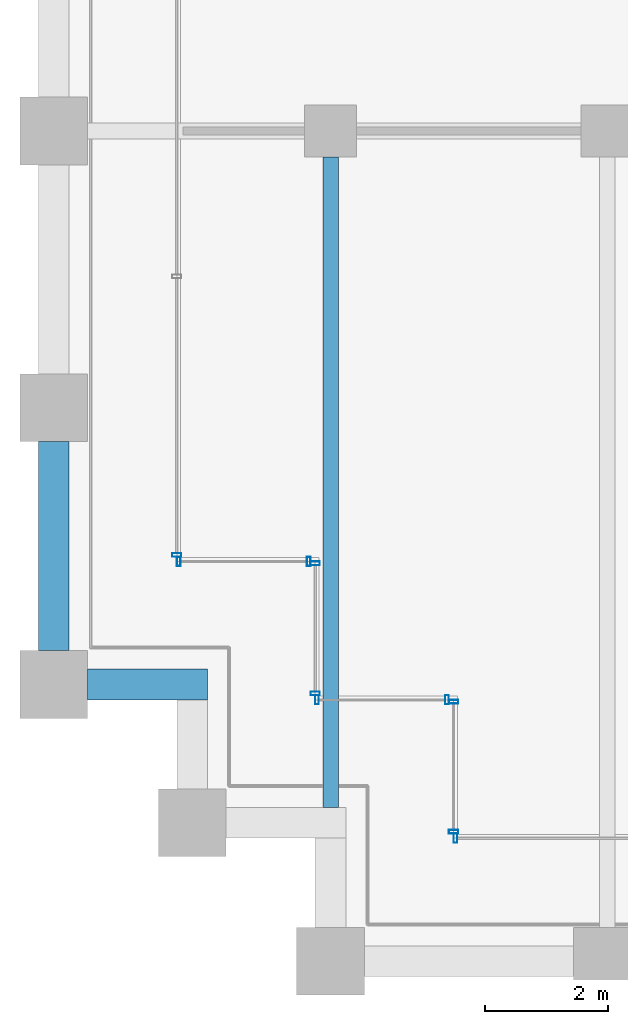
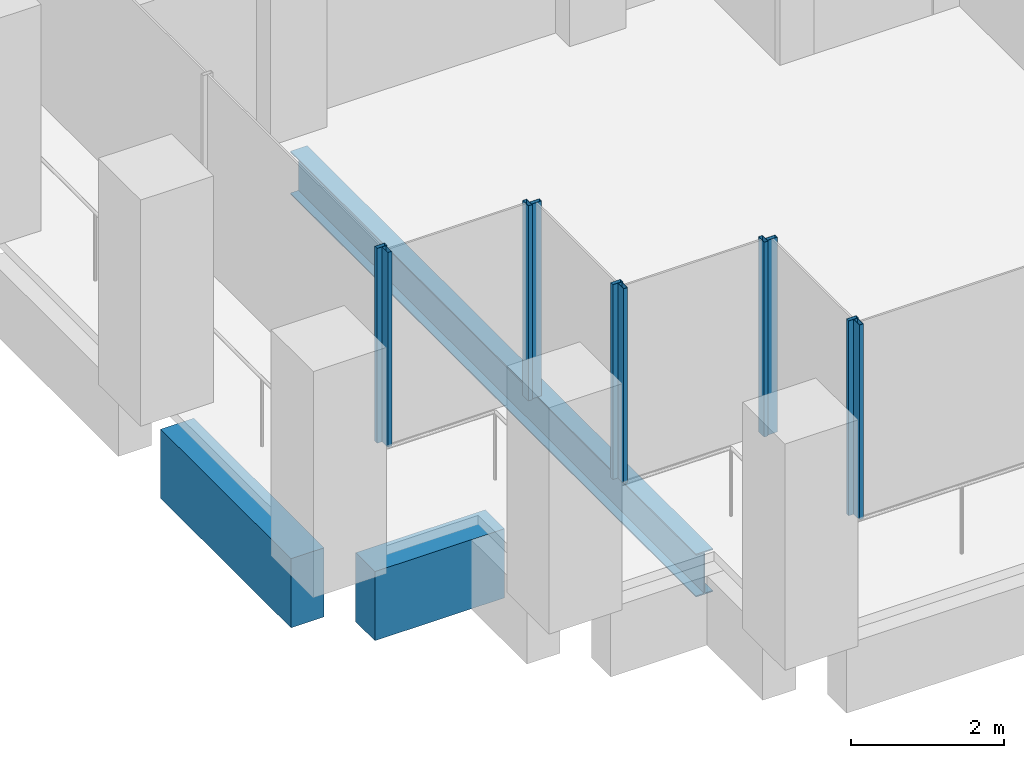
# One storey, part 2 of 56: 10 members, 3 beams, 6 elements without a shape of their own.
"""IFC4 building model written with IfcOpenShell, lengths in metres."""

from ifc_helpers import new_model, si_unit, direction, frame, origin, origin_2d, place, context, subcontext, project, spatial, rectangle, hollow_rectangle, i_section, extrude, material, material_profile, profile_set, type_object, element, aggregate, save


model = new_model("IFC4")

# Units and contexts
model_context = context("Model", 3, precision=1e-05, world=origin(), true_north=direction((0.0, 1.0)))
body_context = subcontext(model_context, "Body", "Model", "MODEL_VIEW")
ifc_project = project(units=[si_unit("LENGTHUNIT", "METRE"), si_unit("AREAUNIT", "SQUARE_METRE"), si_unit("VOLUMEUNIT", "CUBIC_METRE"), si_unit("PLANEANGLEUNIT", "RADIAN"), si_unit("MASSUNIT", "GRAM", prefix="KILO")], contexts=[model_context])

# Site, building, storey
site_placement = place(None, origin())
site = spatial("IfcSite", under=ifc_project, at=site_placement, CompositionType="ELEMENT")
building_placement = place(site_placement, origin())
building = spatial("IfcBuilding", under=site, at=building_placement, Name="Altepetl Exchange Towers", CompositionType="ELEMENT")
storey_placement = place(building_placement, frame((0.0, 0.0, 51.0)))
storey = spatial("IfcBuildingStorey", under=building, at=storey_placement, Name="L11", CompositionType="ELEMENT", Elevation=51.0)

# Beam
ifc_material_1 = material(Name="Steel S355", Category="steel")
ifc_material_profile_1 = material_profile(ifc_material_1, i_section(OverallWidth=0.25390625, OverallDepth=0.68408203125, WebThickness=0.012451171875, FlangeThickness=0.018798828125, at=origin_2d()), Name="W27X94")
ifc_profile_set_1 = profile_set([ifc_material_profile_1], Name="Steel S355")
beam_type_1 = type_object("IfcBeamType", Name="Floor beam W27X94", PredefinedType="BEAM", material=ifc_profile_set_1)
beam_1_placement = place(storey_placement, frame((31.5, 29.5, -0.491943359375), z_axis=(0.0, 1.0, 0.0), x_axis=(-1.0, 0.0, 0.0)))
element("IfcBeam", 1, at=beam_1_placement, inside=storey, type_object=beam_type_1, Name="bm:A:L11:012", PredefinedType="BEAM", context=body_context, shape_type="SweptSolid", body=[
    extrude(i_section(OverallWidth=0.25390625, OverallDepth=0.68408203125, WebThickness=0.012451171875, FlangeThickness=0.018798828125, at=origin_2d()), origin(), (0.0, 0.0, 1.0), 10.574951171875),
])

# Curtain wall, member
ifc_material_2 = material(Name="Aluminium 6063-T6 glazing", Category="aluminium")
curtain_wall_type = type_object("IfcCurtainWallType", Name="Loggia glazing system", PredefinedType="NOTDEFINED", material=ifc_material_2)
curtain_wall_1_placement = place(storey_placement, origin())
curtain_wall_1 = element("IfcCurtainWall", 2, at=curtain_wall_1_placement, inside=storey, type_object=curtain_wall_type, Name="CW1 run", PredefinedType="NOTDEFINED")
ifc_material_3 = material(Name="Aluminium 6063-T6", Category="aluminium")
ifc_material_profile_2 = material_profile(ifc_material_3, hollow_rectangle(XDim=0.06005859375, YDim=0.14990234375, WallThickness=0.0029296875, at=origin_2d()), Name="Mullion 60x150 aluminium")
ifc_profile_set_2 = profile_set([ifc_material_profile_2], Name="Aluminium 6063-T6")
member_type = type_object("IfcMemberType", Name="Mullion 60x150 aluminium", PredefinedType="MULLION", material=ifc_profile_set_2)
member_1_placement = place(storey_placement, frame((29.0, 33.60498046875, 0.0), z_axis=(0.0, 0.0, 1.0), x_axis=(0.0, -1.0, 0.0)))
member_1 = element("IfcMember", 3, at=member_1_placement, type_object=member_type, Name="MU1 mullion", PredefinedType="MULLION", context=body_context, shape_type="SweptSolid", body=[
    extrude(hollow_rectangle(XDim=0.06005859375, YDim=0.14990234375, WallThickness=0.0029296875, at=origin_2d()), origin(), (0.0, 0.0, 1.0), 3.10009765625),
])
aggregate(curtain_wall_1, [member_1])

# Curtain wall, members
curtain_wall_2_placement = place(storey_placement, origin())
curtain_wall_2 = element("IfcCurtainWall", 4, at=curtain_wall_2_placement, inside=storey, type_object=curtain_wall_type, Name="CW1 run", PredefinedType="NOTDEFINED")
member_2_placement = place(storey_placement, frame((29.030029296875, 33.5, 0.0)))
member_2 = element("IfcMember", 5, at=member_2_placement, type_object=member_type, Name="MU1 mullion", PredefinedType="MULLION", context=body_context, shape_type="SweptSolid", body=[
    extrude(hollow_rectangle(XDim=0.06005859375, YDim=0.14990234375, WallThickness=0.0029296875, at=origin_2d()), origin(), (0.0, 0.0, 1.0), 3.10009765625),
])
member_3_placement = place(storey_placement, frame((31.14501953125, 33.5, 0.0)))
member_3 = element("IfcMember", 6, at=member_3_placement, type_object=member_type, Name="MU1 mullion", PredefinedType="MULLION", context=body_context, shape_type="SweptSolid", body=[
    extrude(hollow_rectangle(XDim=0.06005859375, YDim=0.14990234375, WallThickness=0.0029296875, at=origin_2d()), origin(), (0.0, 0.0, 1.0), 3.10009765625),
])
aggregate(curtain_wall_2, [member_2, member_3])

curtain_wall_3_placement = place(storey_placement, origin())
curtain_wall_3 = element("IfcCurtainWall", 7, at=curtain_wall_3_placement, inside=storey, type_object=curtain_wall_type, Name="CW1 run", PredefinedType="NOTDEFINED")
member_4_placement = place(storey_placement, frame((31.25, 33.469970703125, 0.0), z_axis=(0.0, 0.0, 1.0), x_axis=(0.0, -1.0, 0.0)))
member_4 = element("IfcMember", 8, at=member_4_placement, type_object=member_type, Name="MU1 mullion", PredefinedType="MULLION", context=body_context, shape_type="SweptSolid", body=[
    extrude(hollow_rectangle(XDim=0.06005859375, YDim=0.14990234375, WallThickness=0.0029296875, at=origin_2d()), origin(), (0.0, 0.0, 1.0), 3.10009765625),
])
member_5_placement = place(storey_placement, frame((31.25, 31.35498046875, 0.0), z_axis=(0.0, 0.0, 1.0), x_axis=(0.0, -1.0, 0.0)))
member_5 = element("IfcMember", 9, at=member_5_placement, type_object=member_type, Name="MU1 mullion", PredefinedType="MULLION", context=body_context, shape_type="SweptSolid", body=[
    extrude(hollow_rectangle(XDim=0.06005859375, YDim=0.14990234375, WallThickness=0.0029296875, at=origin_2d()), origin(), (0.0, 0.0, 1.0), 3.10009765625),
])
aggregate(curtain_wall_3, [member_4, member_5])

curtain_wall_4_placement = place(storey_placement, origin())
curtain_wall_4 = element("IfcCurtainWall", 10, at=curtain_wall_4_placement, inside=storey, type_object=curtain_wall_type, Name="CW1 run", PredefinedType="NOTDEFINED")
member_6_placement = place(storey_placement, frame((31.280029296875, 31.25, 0.0)))
member_6 = element("IfcMember", 11, at=member_6_placement, type_object=member_type, Name="MU1 mullion", PredefinedType="MULLION", context=body_context, shape_type="SweptSolid", body=[
    extrude(hollow_rectangle(XDim=0.06005859375, YDim=0.14990234375, WallThickness=0.0029296875, at=origin_2d()), origin(), (0.0, 0.0, 1.0), 3.10009765625),
])
member_7_placement = place(storey_placement, frame((33.39501953125, 31.25, 0.0)))
member_7 = element("IfcMember", 12, at=member_7_placement, type_object=member_type, Name="MU1 mullion", PredefinedType="MULLION", context=body_context, shape_type="SweptSolid", body=[
    extrude(hollow_rectangle(XDim=0.06005859375, YDim=0.14990234375, WallThickness=0.0029296875, at=origin_2d()), origin(), (0.0, 0.0, 1.0), 3.10009765625),
])
aggregate(curtain_wall_4, [member_6, member_7])

curtain_wall_5_placement = place(storey_placement, origin())
curtain_wall_5 = element("IfcCurtainWall", 13, at=curtain_wall_5_placement, inside=storey, type_object=curtain_wall_type, Name="CW1 run", PredefinedType="NOTDEFINED")
member_8_placement = place(storey_placement, frame((33.5, 31.219970703125, 0.0), z_axis=(0.0, 0.0, 1.0), x_axis=(0.0, -1.0, 0.0)))
member_8 = element("IfcMember", 14, at=member_8_placement, type_object=member_type, Name="MU1 mullion", PredefinedType="MULLION", context=body_context, shape_type="SweptSolid", body=[
    extrude(hollow_rectangle(XDim=0.06005859375, YDim=0.14990234375, WallThickness=0.0029296875, at=origin_2d()), origin(), (0.0, 0.0, 1.0), 3.10009765625),
])
member_9_placement = place(storey_placement, frame((33.5, 29.10498046875, 0.0), z_axis=(0.0, 0.0, 1.0), x_axis=(0.0, -1.0, 0.0)))
member_9 = element("IfcMember", 15, at=member_9_placement, type_object=member_type, Name="MU1 mullion", PredefinedType="MULLION", context=body_context, shape_type="SweptSolid", body=[
    extrude(hollow_rectangle(XDim=0.06005859375, YDim=0.14990234375, WallThickness=0.0029296875, at=origin_2d()), origin(), (0.0, 0.0, 1.0), 3.10009765625),
])
aggregate(curtain_wall_5, [member_8, member_9])

# Curtain wall, member
curtain_wall_6_placement = place(storey_placement, origin())
curtain_wall_6 = element("IfcCurtainWall", 16, at=curtain_wall_6_placement, inside=storey, type_object=curtain_wall_type, Name="CW1 run", PredefinedType="NOTDEFINED")
member_10_placement = place(storey_placement, frame((33.530029296875, 29.0, 0.0)))
member_10 = element("IfcMember", 17, at=member_10_placement, type_object=member_type, Name="MU1 mullion", PredefinedType="MULLION", context=body_context, shape_type="SweptSolid", body=[
    extrude(hollow_rectangle(XDim=0.06005859375, YDim=0.14990234375, WallThickness=0.0029296875, at=origin_2d()), origin(), (0.0, 0.0, 1.0), 3.10009765625),
])
aggregate(curtain_wall_6, [member_10])

# Beams
ifc_material_4 = material(Name="Concrete C50/60 precast with cantera blanca facing", Category="concrete")
ifc_material_profile_3 = material_profile(ifc_material_4, rectangle(XDim=0.5, YDim=1.10009765625, at=origin_2d()), Name="500 x 1100")
ifc_profile_set_3 = profile_set([ifc_material_profile_3], Name="Concrete C50/60 precast with cantera blanca facing")
beam_type_2 = type_object("IfcBeamType", Name="Spandrel beam 500x1100 cantera blanca", PredefinedType="SPANDREL", material=ifc_profile_set_3)
beam_2_placement = place(storey_placement, frame((27.0, 35.449951171875, -0.699951171875), z_axis=(0.0, -1.0, 0.0), x_axis=(1.0, 0.0, 0.0)))
element("IfcBeam", 18, at=beam_2_placement, inside=storey, type_object=beam_type_2, Name="sp:A:L11:043", PredefinedType="SPANDREL", context=body_context, shape_type="SweptSolid", body=[
    extrude(rectangle(XDim=0.5, YDim=1.10009765625, at=origin_2d()), origin(), (0.0, 0.0, 1.0), 3.39990234375),
])
beam_3_placement = place(storey_placement, frame((27.550048828125, 31.5, -0.699951171875), z_axis=(1.0, 0.0, 0.0), x_axis=(0.0, 1.0, 0.0)))
element("IfcBeam", 19, at=beam_3_placement, inside=storey, type_object=beam_type_2, Name="sp:A:L11:044", PredefinedType="SPANDREL", context=body_context, shape_type="SweptSolid", body=[
    extrude(rectangle(XDim=0.5, YDim=1.10009765625, at=origin_2d()), origin(), (0.0, 0.0, 1.0), 1.949951171875),
])

save(model, "model.ifc")
